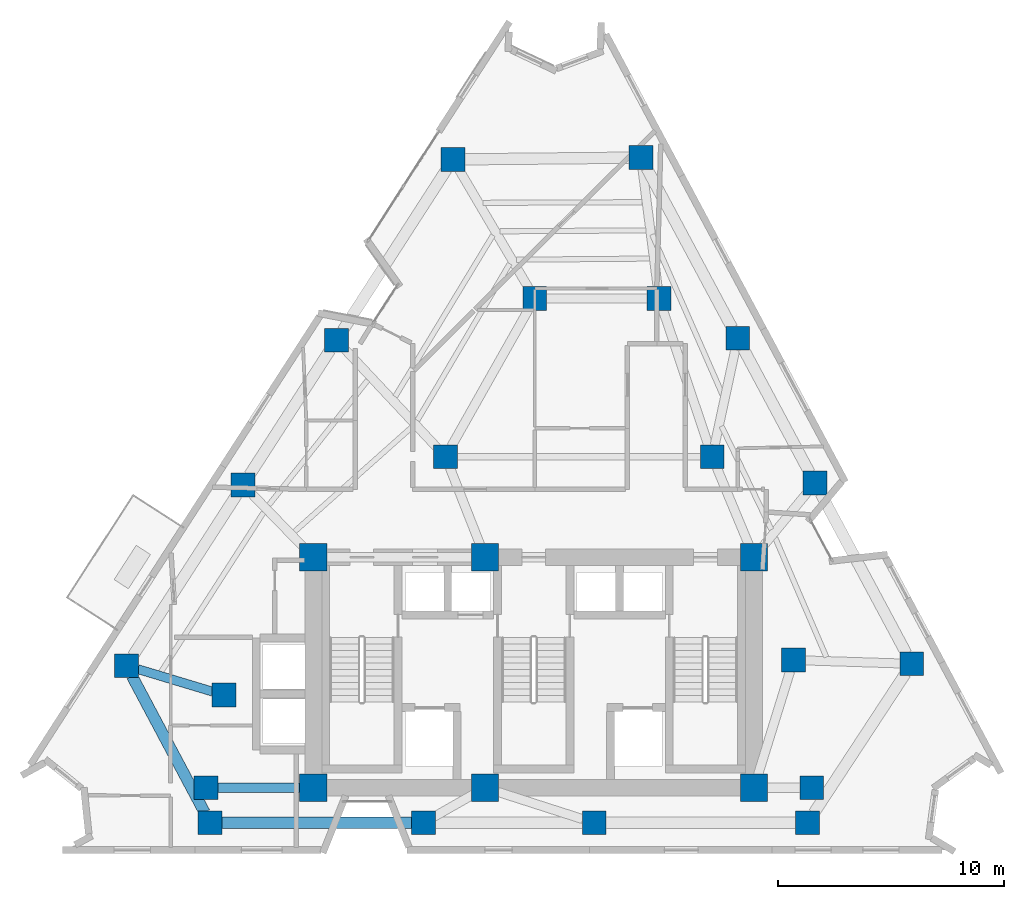
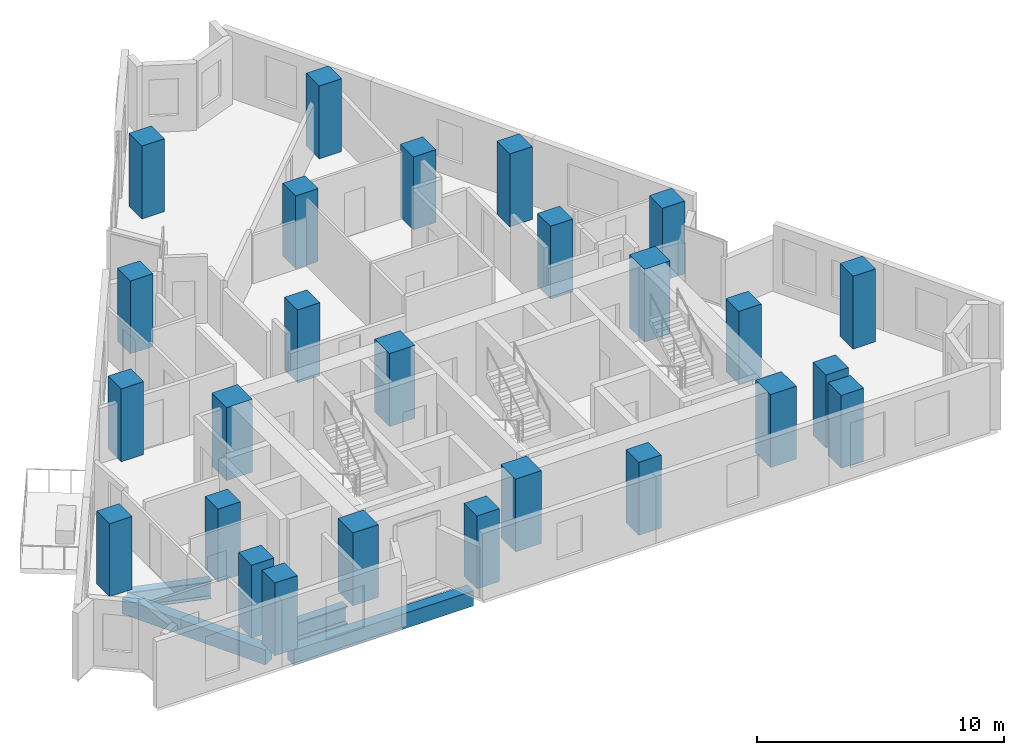
# One storey, part 1 of 11: 26 columns, 4 beams.
"""IFC4 building model written with IfcOpenShell, lengths in metres."""

from ifc_helpers import new_model, si_unit, direction, frame, origin, origin_2d, place, context, subcontext, project, spatial, rectangle, i_section, extrude, material, material_profile, profile_set, type_object, element, save


model = new_model("IFC4")

# Units and contexts
model_context = context("Model", 3, precision=1e-05, world=origin(), true_north=direction((0.0, 1.0)))
body_context = subcontext(model_context, "Body", "Model", "MODEL_VIEW")
ifc_project = project(units=[si_unit("LENGTHUNIT", "METRE"), si_unit("AREAUNIT", "SQUARE_METRE"), si_unit("VOLUMEUNIT", "CUBIC_METRE"), si_unit("PLANEANGLEUNIT", "RADIAN"), si_unit("MASSUNIT", "GRAM", prefix="KILO")], contexts=[model_context])

# Site, building, storey
site_placement = place(None, origin())
site = spatial("IfcSite", under=ifc_project, at=site_placement, CompositionType="ELEMENT")
building_placement = place(site_placement, origin())
building = spatial("IfcBuilding", under=site, at=building_placement, Name="Almagre Mirador Tower", CompositionType="ELEMENT")
storey_placement = place(building_placement, frame((0.0, 0.0, 193.199951171875)))
storey = spatial("IfcBuildingStorey", under=building, at=storey_placement, Name="L50", CompositionType="ELEMENT", Elevation=193.199951171875)

# Columns
ifc_material_1 = material(Name="Concrete C60/75", Category="concrete")
ifc_material_profile_1 = material_profile(ifc_material_1, rectangle(XDim=1.050048828125, YDim=1.050048828125, at=origin_2d()), Name="RC1050X1050")
ifc_profile_set_1 = profile_set([ifc_material_profile_1], Name="Concrete C60/75")
column_type_1 = type_object("IfcColumnType", Name="COL-RC1050", PredefinedType="COLUMN", material=ifc_profile_set_1)
for number, where, z_axis, x_axis, name in (
    (1, (22.800048828125, 4.550048828125, 0.0), (0.0, 0.0, 1.0), (1.0, 0.0, 0.0), "L50 interior transfer column MC1"),
    (2, (49.60009765625, 4.550048828125, 0.0), (0.0, 0.0, 1.0), (1.0, 0.0, 0.0), "L50 interior transfer column MC2"),
    (3, (48.800048828125, 10.199951171875, 0.0), (0.0, 0.0, 1.0), (1.0, 0.0, 0.0), "L50 interior transfer column MC3"),
    (4, (45.199951171875, 19.199951171875, 0.0), (0.0, 0.0, 1.0), (1.0, 0.0, 0.0), "L50 interior transfer column MC5"),
    (5, (42.85009765625, 26.199951171875, 0.0), (0.0, 0.0, 1.0), (1.0, 0.0, 0.0), "L50 interior transfer column MC6"),
    (6, (37.35009765625, 26.199951171875, 0.0), (0.0, 0.0, 1.0), (1.0, 0.0, 0.0), "L50 interior transfer column MC7"),
    (7, (33.39990234375, 19.199951171875, 0.0), (0.0, 0.0, 1.0), (1.0, 0.0, 0.0), "L50 interior transfer column MC8"),
    (8, (23.60009765625, 8.64990234375, 0.0), (0.0, 0.0, 1.0), (1.0, 0.0, 0.0), "L50 interior transfer column MC10"),
    (9, (22.98388671875, 3.0, 0.0), (0.0, 0.0, 1.0), (1.0, 0.0, 0.0), "L50 perimeter column PC01"),
    (10, (32.424072265625, 3.0, 0.0), (0.0, 0.0, 1.0), (1.0, 0.0, 0.0), "L50 perimeter column PC02"),
    (11, (39.97607421875, 3.0, 0.0), (0.0, 0.0, 1.0), (1.0, 0.0, 0.0), "L50 perimeter column PC03"),
    (12, (49.416015625, 3.0, 0.0), (0.0, 0.0, 1.0), (1.0, 0.0, 0.0), "L50 perimeter column PC04"),
    (13, (54.033935546875, 10.033935546875, 0.0), (0.0, 0.0, 1.0), (1.0, 0.0, 0.0), "L50 perimeter column PC05"),
    (14, (49.75390625, 18.033935546875, 0.0), (0.0, 0.0, 1.0), (1.0, 0.0, 0.0), "L50 perimeter column PC06"),
    (15, (46.330078125, 24.43408203125, 0.0), (0.0, 0.0, 1.0), (1.0, 0.0, 0.0), "L50 perimeter column PC07"),
    (16, (42.050048828125, 32.43408203125, 0.0), (0.0, 0.0, 1.0), (1.0, 0.0, 0.0), "L50 perimeter column PC08"),
    (17, (33.73193359375, 32.35009765625, 0.0), (0.0, 0.0, 1.0), (1.0, 0.0, 0.0), "L50 perimeter column PC09"),
    (18, (28.572021484375, 24.35009765625, 0.0), (0.0, 0.0, 1.0), (1.0, 0.0, 0.0), "L50 perimeter column PC10"),
    (19, (24.444091796875, 17.949951171875, 0.0), (0.0, 0.0, 1.0), (1.0, 0.0, 0.0), "L50 perimeter column PC11"),
    (20, (19.283935546875, 9.949951171875, 0.0), (0.0, 0.0, 1.0), (1.0, 0.0, 0.0), "L50 perimeter column PC12"),
):
    element("IfcColumn", number, at=place(storey_placement, frame(where, z_axis=z_axis, x_axis=x_axis)), inside=storey, type_object=column_type_1, Name=name, PredefinedType="COLUMN", context=body_context, shape_type="SweptSolid", body=[
        extrude(rectangle(XDim=1.050048828125, YDim=1.050048828125, at=origin_2d()), origin(), (0.0, 0.0, 1.0), 3.60009765625),
    ])
ifc_material_2 = material(Name="Concrete C60/75", Category="concrete")
ifc_material_profile_2 = material_profile(ifc_material_2, rectangle(XDim=1.199951171875, YDim=1.199951171875, at=origin_2d()), Name="RC1200X1200")
ifc_profile_set_2 = profile_set([ifc_material_profile_2], Name="Concrete C60/75")
column_type_2 = type_object("IfcColumnType", Name="COL-RC1200", PredefinedType="COLUMN", material=ifc_profile_set_2)
for number, where, z_axis, x_axis, name in (
    (21, (27.550048828125, 4.550048828125, 0.0), (0.0, 0.0, 1.0), (1.0, 0.0, 0.0), "L50 core spine column CC1"),
    (22, (35.14990234375, 4.550048828125, 0.0), (0.0, 0.0, 1.0), (1.0, 0.0, 0.0), "L50 core spine column CC2"),
    (23, (47.050048828125, 4.550048828125, 0.0), (0.0, 0.0, 1.0), (1.0, 0.0, 0.0), "L50 core spine column CC3"),
    (24, (27.550048828125, 14.75, 0.0), (0.0, 0.0, 1.0), (1.0, 0.0, 0.0), "L50 core spine column CC4"),
    (25, (35.14990234375, 14.75, 0.0), (0.0, 0.0, 1.0), (1.0, 0.0, 0.0), "L50 core spine column CC5"),
    (26, (47.050048828125, 14.75, 0.0), (0.0, 0.0, 1.0), (1.0, 0.0, 0.0), "L50 core spine column CC6"),
):
    element("IfcColumn", number, at=place(storey_placement, frame(where, z_axis=z_axis, x_axis=x_axis)), inside=storey, type_object=column_type_2, Name=name, PredefinedType="COLUMN", context=body_context, shape_type="SweptSolid", body=[
        extrude(rectangle(XDim=1.199951171875, YDim=1.199951171875, at=origin_2d()), origin(), (0.0, 0.0, 1.0), 3.60009765625),
    ])

# Beams
ifc_material_3 = material(Name="Precast concrete C50/60", Category="concrete")
ifc_material_profile_3 = material_profile(ifc_material_3, rectangle(XDim=0.5, YDim=0.75, at=origin_2d()), Name="RC500X750")
ifc_profile_set_3 = profile_set([ifc_material_profile_3], Name="Precast concrete C50/60")
beam_type_1 = type_object("IfcBeamType", Name="BM-SPN-RC500X750", PredefinedType="SPANDREL", material=ifc_profile_set_3)
beam_1_placement = place(storey_placement, frame((23.509033203125, 3.0, -0.625), z_axis=(1.0, 0.0, 0.0), x_axis=(0.0, 1.0, 0.0)))
element("IfcBeam", 27, at=beam_1_placement, inside=storey, type_object=beam_type_1, Name="L50 perimeter spandrel beam PC01-PC02", PredefinedType="SPANDREL", context=body_context, shape_type="SweptSolid", body=[
    extrude(rectangle(XDim=0.5, YDim=0.75, at=origin_2d()), origin(), (0.0, 0.0, 1.0), 8.389892578125),
])
beam_2_placement = place(storey_placement, frame((19.53076171875, 9.486572265625, -0.625), z_axis=(0.469923278173, -0.882707263271, 0.0), x_axis=(0.882707263271, 0.469923278173, 0.0)))
element("IfcBeam", 28, at=beam_2_placement, inside=storey, type_object=beam_type_1, Name="L50 perimeter spandrel beam PC12-PC01", PredefinedType="SPANDREL", context=body_context, shape_type="SweptSolid", body=[
    extrude(rectangle(XDim=0.5, YDim=0.75, at=origin_2d()), origin(), (0.0, 0.0, 1.0), 6.823486328125),
])
ifc_material_4 = material(Name="Steel ASTM A992 Grade 50", Category="steel")
ifc_material_profile_4 = material_profile(ifc_material_4, i_section(OverallWidth=0.39892578125, OverallDepth=0.85595703125, WebThickness=0.018310546875, FlangeThickness=0.029296875, FilletRadius=0.02490234375, at=origin_2d()), Name="W33X201")
ifc_profile_set_4 = profile_set([ifc_material_profile_4], Name="Steel ASTM A992 Grade 50")
beam_type_2 = type_object("IfcBeamType", Name="BM-STL-W33X201", PredefinedType="BEAM", material=ifc_profile_set_4)
beam_3_placement = place(storey_placement, frame((19.78662109375, 9.798583984375, -0.677978515625), z_axis=(0.957520639222, -0.288364743794, 0.0), x_axis=(0.288364743794, 0.957520639222, 0.0)))
element("IfcBeam", 29, at=beam_3_placement, inside=storey, type_object=beam_type_2, Name="L50 radial floor girder PC12-MC10", PredefinedType="BEAM", context=body_context, shape_type="SweptSolid", body=[
    extrude(i_section(OverallWidth=0.39892578125, OverallDepth=0.85595703125, WebThickness=0.018310546875, FlangeThickness=0.029296875, FilletRadius=0.02490234375, at=origin_2d()), origin(), (0.0, 0.0, 1.0), 3.457763671875),
])
ifc_material_5 = material(Name="Steel ASTM A992 Grade 50", Category="steel")
ifc_material_profile_5 = material_profile(ifc_material_5, i_section(OverallWidth=0.404052734375, OverallDepth=0.884033203125, WebThickness=0.0244140625, FlangeThickness=0.0439453125, FilletRadius=0.02490234375, at=origin_2d()), Name="W33X291")
ifc_profile_set_5 = profile_set([ifc_material_profile_5], Name="Steel ASTM A992 Grade 50")
beam_type_3 = type_object("IfcBeamType", Name="BM-STL-W33X291", PredefinedType="BEAM", material=ifc_profile_set_5)
beam_4_placement = place(storey_placement, frame((23.324951171875, 4.550048828125, -0.69189453125), z_axis=(1.0, 0.0, 0.0), x_axis=(0.0, 1.0, 0.0)))
element("IfcBeam", 30, at=beam_4_placement, inside=storey, type_object=beam_type_3, Name="L50 core tie girder MC1-CC1", PredefinedType="BEAM", context=body_context, shape_type="SweptSolid", body=[
    extrude(i_section(OverallWidth=0.404052734375, OverallDepth=0.884033203125, WebThickness=0.0244140625, FlangeThickness=0.0439453125, FilletRadius=0.02490234375, at=origin_2d()), origin(), (0.0, 0.0, 1.0), 3.625),
])

save(model, "model.ifc")
